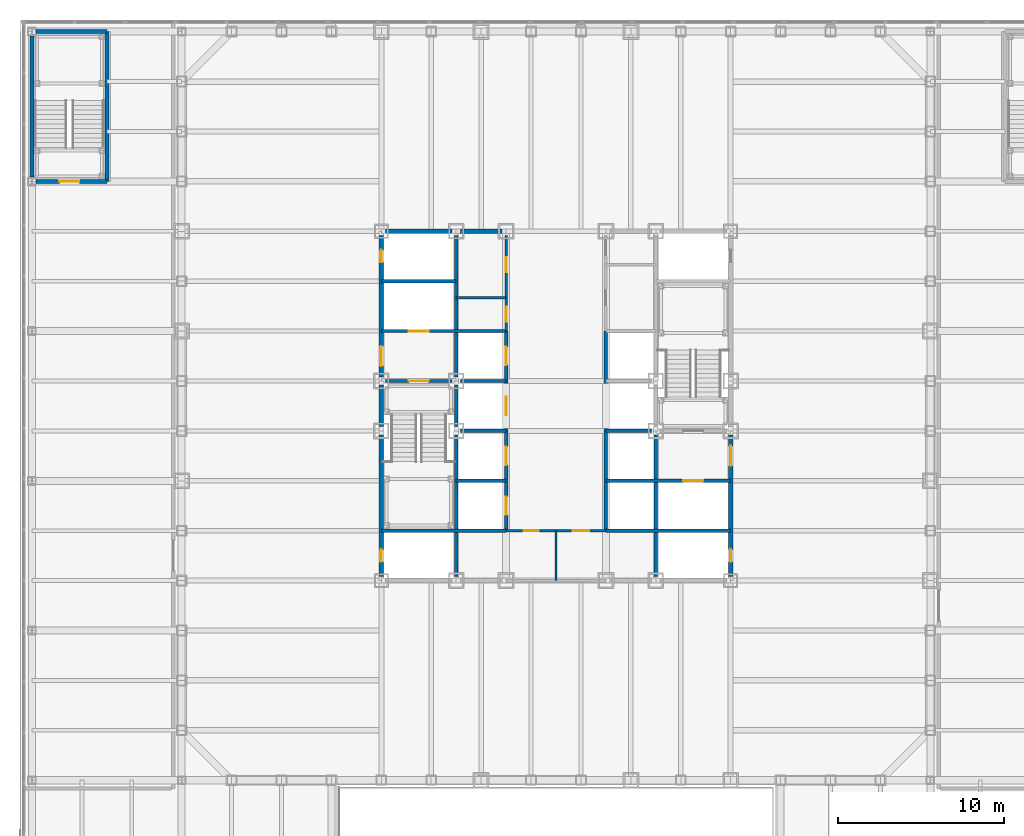
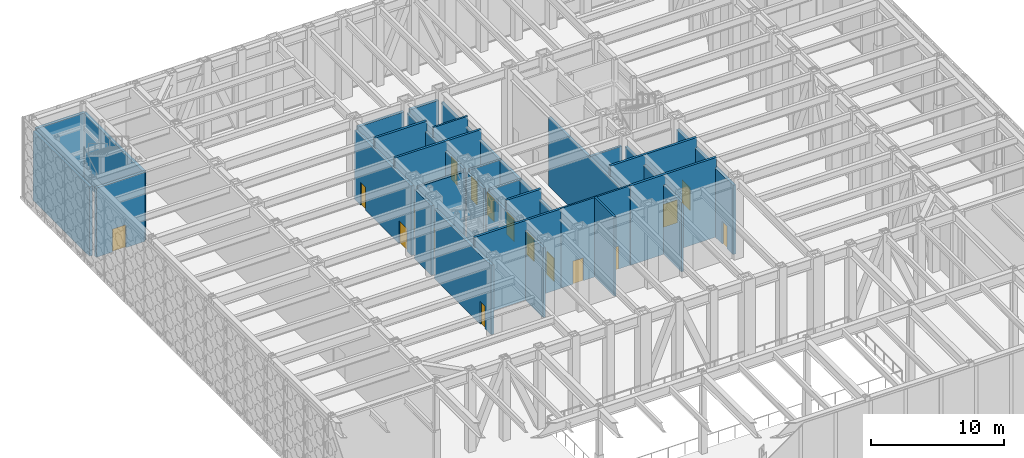
# One storey, part 16 of 34: 30 walls, 17 doors, 17 openings.
"""IFC4 building model written with IfcOpenShell, lengths in metres."""

from ifc_helpers import new_model, si_unit, direction, frame, frame_2d, origin, place, context, subcontext, project, spatial, rectangle, extrude, material, layer, layer_set, type_object, element, fill, save


model = new_model("IFC4")

# Units and contexts
model_context = context("Model", 3, precision=1e-05, world=origin(), true_north=direction((0.0, 1.0)))
body_context = subcontext(model_context, "Body", "Model", "MODEL_VIEW")
ifc_project = project(units=[si_unit("LENGTHUNIT", "METRE"), si_unit("AREAUNIT", "SQUARE_METRE"), si_unit("VOLUMEUNIT", "CUBIC_METRE"), si_unit("PLANEANGLEUNIT", "RADIAN"), si_unit("MASSUNIT", "GRAM", prefix="KILO")], contexts=[model_context])

# Site, building, storey
site_placement = place(None, origin())
site = spatial("IfcSite", under=ifc_project, at=site_placement, CompositionType="ELEMENT")
building_placement = place(site_placement, origin())
building = spatial("IfcBuilding", under=site, at=building_placement, Name="Chuquiago Exchange Tower", CompositionType="ELEMENT")
storey_placement = place(building_placement, frame((0.0, 0.0, 6.0)))
storey = spatial("IfcBuildingStorey", under=building, at=storey_placement, Name="L01", CompositionType="ELEMENT", Elevation=6.0)

# Wall, opening, door
ifc_material_1 = material(Name="Concrete masonry, fully grouted", Category="masonry")
ifc_layer_1 = layer(ifc_material_1, 0.25)
ifc_layer_set_1 = layer_set([ifc_layer_1], Name="W1 core wall 250")
wall_type_1 = type_object("IfcWallType", Name="W1 core wall 250", PredefinedType="SOLIDWALL", material=ifc_layer_set_1)
wall_1_placement = place(storey_placement, frame((12.0, 12.25, 0.0), z_axis=(0.0, 0.0, 1.0), x_axis=(0.0, 1.0, 0.0)))
wall_1 = element("IfcWall", 1, at=wall_1_placement, inside=storey, type_object=wall_type_1, Name="CW-L01-00-0", PredefinedType="SOLIDWALL", context=body_context, shape_type="SweptSolid", body=[
    extrude(rectangle(XDim=8.5, YDim=0.25, at=frame_2d((4.25, 0.0))), origin(), (0.0, 0.0, 1.0), 6.372802734375),
])
opening_1_placement = place(wall_1_placement, frame((0.875, 0.0, 0.0)))
opening_1 = element("IfcOpeningElement", 2, at=opening_1_placement, cuts=wall_1, Name="Opening L01-007", PredefinedType="OPENING", context=body_context, shape_type="SweptSolid", body=[
    extrude(rectangle(XDim=0.75, YDim=2.10009765625, at=frame_2d((0.375, 1.050048828125))), frame((0.0, 0.135009765625, 0.0), z_axis=(0.0, -1.0, 0.0), x_axis=(1.0, 0.0, 0.0)), (0.0, 0.0, 1.0), 0.27001953125),
])
ifc_material_2 = material(Name="Steel door, painted", Category="steel")
door_type_1 = type_object("IfcDoorType", Name="D6 riser access door 750x2100", OperationType="SINGLE_SWING_LEFT", PredefinedType="DOOR", material=ifc_material_2)
door_1_placement = place(opening_1_placement, origin())
door_1 = element("IfcDoor", 3, at=door_1_placement, inside=storey, type_object=door_type_1, Name="Riser RW1 door", OperationType="SINGLE_SWING_LEFT", OverallHeight=2.10009765625, OverallWidth=0.75, PredefinedType="DOOR", context=body_context, shape_type="SweptSolid", body=[
    extrude(rectangle(XDim=0.75, YDim=2.10009765625, at=frame_2d((0.375, 1.050048828125))), frame((0.0, 0.02490234375, 0.0), z_axis=(0.0, -1.0, 0.0), x_axis=(1.0, 0.0, 0.0)), (0.0, 0.0, 1.0), 0.050048828125),
])
fill(opening_1, door_1)

# Wall
wall_2_placement = place(storey_placement, frame((12.0, 21.25, 0.0), z_axis=(0.0, 0.0, 1.0), x_axis=(0.0, 1.0, 0.0)))
element("IfcWall", 4, at=wall_2_placement, inside=storey, type_object=wall_type_1, Name="CW-L01-00-1", PredefinedType="SOLIDWALL", context=body_context, shape_type="SweptSolid", body=[
    extrude(rectangle(XDim=2.5, YDim=0.25, at=frame_2d((1.25, 0.0))), origin(), (0.0, 0.0, 1.0), 6.372802734375),
])

# Wall, openings, doors
wall_3_placement = place(storey_placement, frame((12.0, 24.25, 0.0), z_axis=(0.0, 0.0, 1.0), x_axis=(0.0, 1.0, 0.0)))
wall_3 = element("IfcWall", 5, at=wall_3_placement, inside=storey, type_object=wall_type_1, Name="CW-L01-00-2", PredefinedType="SOLIDWALL", context=body_context, shape_type="SweptSolid", body=[
    extrude(rectangle(XDim=8.5, YDim=0.25, at=frame_2d((4.25, 0.0))), origin(), (0.0, 0.0, 1.0), 6.372802734375),
])
opening_2_placement = place(wall_3_placement, frame((0.64990234375, 0.0, 0.0)))
opening_2 = element("IfcOpeningElement", 6, at=opening_2_placement, cuts=wall_3, Name="Opening L01-002", PredefinedType="OPENING", context=body_context, shape_type="SweptSolid", body=[
    extrude(rectangle(XDim=1.199951171875, YDim=2.10009765625, at=frame_2d((0.60009765625, 1.050048828125))), frame((0.0, 0.135009765625, 0.0), z_axis=(0.0, -1.0, 0.0), x_axis=(1.0, 0.0, 0.0)), (0.0, 0.0, 1.0), 0.27001953125),
])
opening_3_placement = place(wall_3_placement, frame((6.875, 0.0, 0.0)))
opening_3 = element("IfcOpeningElement", 7, at=opening_3_placement, cuts=wall_3, Name="Opening L01-008", PredefinedType="OPENING", context=body_context, shape_type="SweptSolid", body=[
    extrude(rectangle(XDim=0.75, YDim=2.10009765625, at=frame_2d((0.375, 1.050048828125))), frame((0.0, 0.135009765625, 0.0), z_axis=(0.0, -1.0, 0.0), x_axis=(1.0, 0.0, 0.0)), (0.0, 0.0, 1.0), 0.27001953125),
])
ifc_material_3 = material(Name="Steel door, painted", Category="steel")
door_type_2 = type_object("IfcDoorType", Name="D5 firefighting lobby door 1200x2100", OperationType="SINGLE_SWING_LEFT", PredefinedType="DOOR", material=ifc_material_3)
door_2_placement = place(opening_2_placement, frame((1.199951171875, 0.0, 0.0), z_axis=(0.0, 0.0, 1.0), x_axis=(-1.0, 0.0, 0.0)))
door_2 = element("IfcDoor", 8, at=door_2_placement, inside=storey, type_object=door_type_2, Name="Firefighting lobby 1 door", OperationType="SINGLE_SWING_RIGHT", OverallHeight=2.10009765625, OverallWidth=1.199951171875, PredefinedType="DOOR", context=body_context, shape_type="SweptSolid", body=[
    extrude(rectangle(XDim=1.199951171875, YDim=2.10009765625, at=frame_2d((0.60009765625, 1.050048828125))), frame((0.0, 0.02490234375, 0.0), z_axis=(0.0, -1.0, 0.0), x_axis=(1.0, 0.0, 0.0)), (0.0, 0.0, 1.0), 0.050048828125),
])
fill(opening_2, door_2)
door_3_placement = place(opening_3_placement, origin())
door_3 = element("IfcDoor", 9, at=door_3_placement, inside=storey, type_object=door_type_1, Name="Riser RW2 door", OperationType="SINGLE_SWING_RIGHT", OverallHeight=2.10009765625, OverallWidth=0.75, PredefinedType="DOOR", context=body_context, shape_type="SweptSolid", body=[
    extrude(rectangle(XDim=0.75, YDim=2.10009765625, at=frame_2d((0.375, 1.050048828125))), frame((0.0, 0.02490234375, 0.0), z_axis=(0.0, -1.0, 0.0), x_axis=(1.0, 0.0, 0.0)), (0.0, 0.0, 1.0), 0.050048828125),
])
fill(opening_3, door_3)

# Walls
wall_4_placement = place(storey_placement, frame((12.25, 33.0, 0.0), z_axis=(0.0, 0.0, 1.0), x_axis=(1.0, 0.0, 0.0)))
element("IfcWall", 10, at=wall_4_placement, inside=storey, type_object=wall_type_1, Name="CW-L01-11-0", PredefinedType="SOLIDWALL", context=body_context, shape_type="SweptSolid", body=[
    extrude(rectangle(XDim=4.0, YDim=0.25, at=frame_2d((2.0, 0.0))), origin(), (0.0, 0.0, 1.0), 6.44140625),
])
wall_5_placement = place(storey_placement, frame((16.75, 33.0, 0.0), z_axis=(0.0, 0.0, 1.0), x_axis=(1.0, 0.0, 0.0)))
element("IfcWall", 11, at=wall_5_placement, inside=storey, type_object=wall_type_1, Name="CW-L01-11-1", PredefinedType="SOLIDWALL", context=body_context, shape_type="SweptSolid", body=[
    extrude(rectangle(XDim=2.5, YDim=0.25, at=frame_2d((1.25, 0.0))), origin(), (0.0, 0.0, 1.0), 6.44140625),
])

# Wall, openings, doors
wall_6_placement = place(storey_placement, frame((33.0, 12.25, 0.0), z_axis=(0.0, 0.0, 1.0), x_axis=(0.0, 1.0, 0.0)))
wall_6 = element("IfcWall", 12, at=wall_6_placement, inside=storey, type_object=wall_type_1, Name="CW-L01-25-0", PredefinedType="SOLIDWALL", context=body_context, shape_type="SweptSolid", body=[
    extrude(rectangle(XDim=8.5, YDim=0.25, at=frame_2d((4.25, 0.0))), origin(), (0.0, 0.0, 1.0), 6.372802734375),
])
opening_4_placement = place(wall_6_placement, frame((6.64990234375, 0.0, 0.0)))
opening_4 = element("IfcOpeningElement", 13, at=opening_4_placement, cuts=wall_6, Name="Opening L01-004", PredefinedType="OPENING", context=body_context, shape_type="SweptSolid", body=[
    extrude(rectangle(XDim=1.199951171875, YDim=2.10009765625, at=frame_2d((0.60009765625, 1.050048828125))), frame((0.0, 0.135009765625, 0.0), z_axis=(0.0, -1.0, 0.0), x_axis=(1.0, 0.0, 0.0)), (0.0, 0.0, 1.0), 0.27001953125),
])
opening_5_placement = place(wall_6_placement, frame((0.875, 0.0, 0.0)))
opening_5 = element("IfcOpeningElement", 14, at=opening_5_placement, cuts=wall_6, Name="Opening L01-009", PredefinedType="OPENING", context=body_context, shape_type="SweptSolid", body=[
    extrude(rectangle(XDim=0.75, YDim=2.10009765625, at=frame_2d((0.375, 1.050048828125))), frame((0.0, 0.135009765625, 0.0), z_axis=(0.0, -1.0, 0.0), x_axis=(1.0, 0.0, 0.0)), (0.0, 0.0, 1.0), 0.27001953125),
])
door_4_placement = place(opening_4_placement, origin())
door_4 = element("IfcDoor", 15, at=door_4_placement, inside=storey, type_object=door_type_2, Name="Firefighting lobby 2 door", OperationType="SINGLE_SWING_RIGHT", OverallHeight=2.10009765625, OverallWidth=1.199951171875, PredefinedType="DOOR", context=body_context, shape_type="SweptSolid", body=[
    extrude(rectangle(XDim=1.199951171875, YDim=2.10009765625, at=frame_2d((0.60009765625, 1.050048828125))), frame((0.0, 0.02490234375, 0.0), z_axis=(0.0, -1.0, 0.0), x_axis=(1.0, 0.0, 0.0)), (0.0, 0.0, 1.0), 0.050048828125),
])
fill(opening_4, door_4)
door_5_placement = place(opening_5_placement, frame((0.75, 0.0, 0.0), z_axis=(0.0, 0.0, 1.0), x_axis=(-1.0, 0.0, 0.0)))
door_5 = element("IfcDoor", 16, at=door_5_placement, inside=storey, type_object=door_type_1, Name="Riser RE1 door", OperationType="SINGLE_SWING_RIGHT", OverallHeight=2.10009765625, OverallWidth=0.75, PredefinedType="DOOR", context=body_context, shape_type="SweptSolid", body=[
    extrude(rectangle(XDim=0.75, YDim=2.10009765625, at=frame_2d((0.375, 1.050048828125))), frame((0.0, 0.02490234375, 0.0), z_axis=(0.0, -1.0, 0.0), x_axis=(1.0, 0.0, 0.0)), (0.0, 0.0, 1.0), 0.050048828125),
])
fill(opening_5, door_5)

# Wall, opening, door
ifc_material_4 = material(Name="Concrete masonry, fully grouted", Category="masonry")
ifc_layer_2 = layer(ifc_material_4, 0.25)
ifc_layer_set_2 = layer_set([ifc_layer_2], Name="W10 podium stair wall 250")
wall_type_2 = type_object("IfcWallType", Name="W10 podium stair wall 250", PredefinedType="SOLIDWALL", material=ifc_layer_set_2)
wall_7_placement = place(storey_placement, frame((-8.75, 36.0, 0.0), z_axis=(0.0, 0.0, 1.0), x_axis=(1.0, 0.0, 0.0)))
wall_7 = element("IfcWall", 17, at=wall_7_placement, inside=storey, type_object=wall_type_2, Name="PSW-L01-PS3-00", PredefinedType="SOLIDWALL", context=body_context, shape_type="SweptSolid", body=[
    extrude(rectangle(XDim=4.25, YDim=0.25, at=frame_2d((2.125, 0.0))), origin(), (0.0, 0.0, 1.0), 6.3525390625),
])
opening_6_placement = place(wall_7_placement, frame((1.39990234375, 0.0, 0.0)))
opening_6 = element("IfcOpeningElement", 18, at=opening_6_placement, cuts=wall_7, Name="Opening L01-025", PredefinedType="OPENING", context=body_context, shape_type="SweptSolid", body=[
    extrude(rectangle(XDim=1.199951171875, YDim=2.10009765625, at=frame_2d((0.60009765625, 1.050048828125))), frame((0.0, 0.135009765625, 0.0), z_axis=(0.0, -1.0, 0.0), x_axis=(1.0, 0.0, 0.0)), (0.0, 0.0, 1.0), 0.27001953125),
])
ifc_material_5 = material(Name="Steel door, painted", Category="steel")
door_type_3 = type_object("IfcDoorType", Name="D4 stair door 1200x2100", OperationType="SINGLE_SWING_LEFT", PredefinedType="DOOR", material=ifc_material_5)
door_6_placement = place(opening_6_placement, origin())
door_6 = element("IfcDoor", 19, at=door_6_placement, inside=storey, type_object=door_type_3, Name="Stair PS3 door", OperationType="SINGLE_SWING_RIGHT", OverallHeight=2.10009765625, OverallWidth=1.199951171875, PredefinedType="DOOR", context=body_context, shape_type="SweptSolid", body=[
    extrude(rectangle(XDim=1.199951171875, YDim=2.10009765625, at=frame_2d((0.60009765625, 1.050048828125))), frame((0.0, 0.02490234375, 0.0), z_axis=(0.0, -1.0, 0.0), x_axis=(1.0, 0.0, 0.0)), (0.0, 0.0, 1.0), 0.050048828125),
])
fill(opening_6, door_6)

# Walls
wall_8_placement = place(storey_placement, frame((-4.5, 36.0, 0.0), z_axis=(0.0, 0.0, 1.0), x_axis=(0.0, 1.0, 0.0)))
element("IfcWall", 20, at=wall_8_placement, inside=storey, type_object=wall_type_2, Name="PSW-L01-PS3-10", PredefinedType="SOLIDWALL", context=body_context, shape_type="SweptSolid", body=[
    extrude(rectangle(XDim=9.0, YDim=0.25, at=frame_2d((4.5, 0.0))), origin(), (0.0, 0.0, 1.0), 6.3525390625),
])
wall_9_placement = place(storey_placement, frame((-8.75, 45.0, 0.0), z_axis=(0.0, 0.0, 1.0), x_axis=(1.0, 0.0, 0.0)))
element("IfcWall", 21, at=wall_9_placement, inside=storey, type_object=wall_type_2, Name="PSW-L01-PS3-20", PredefinedType="SOLIDWALL", context=body_context, shape_type="SweptSolid", body=[
    extrude(rectangle(XDim=4.25, YDim=0.25, at=frame_2d((2.125, 0.0))), origin(), (0.0, 0.0, 1.0), 6.3525390625),
])
wall_10_placement = place(storey_placement, frame((-9.0, 36.25, 0.0), z_axis=(0.0, 0.0, 1.0), x_axis=(0.0, 1.0, 0.0)))
element("IfcWall", 22, at=wall_10_placement, inside=storey, type_object=wall_type_2, Name="PSW-L01-PS3-30", PredefinedType="SOLIDWALL", context=body_context, shape_type="SweptSolid", body=[
    extrude(rectangle(XDim=8.5, YDim=0.25, at=frame_2d((4.25, 0.0))), origin(), (0.0, 0.0, 1.0), 6.3525390625),
])
ifc_material_6 = material(Name="Concrete masonry, fully grouted", Category="masonry")
ifc_layer_3 = layer(ifc_material_6, 0.199951171875)
ifc_layer_set_3 = layer_set([ifc_layer_3], Name="W2 shaft wall 200")
wall_type_3 = type_object("IfcWallType", Name="W2 shaft wall 200", PredefinedType="SOLIDWALL", material=ifc_layer_set_3)
for number, where, z_axis, x_axis, name in (
    (23, (12.0, 15.0, 0.0), (0.0, 0.0, 1.0), (1.0, 0.0, 0.0), "CW-L01-03-0"),
    (24, (25.5, 15.0, 0.0), (0.0, 0.0, 1.0), (1.0, 0.0, 0.0), "CW-L01-04-0"),
):
    element("IfcWall", number, at=place(storey_placement, frame(where, z_axis=z_axis, x_axis=x_axis)), inside=storey, type_object=wall_type_3, Name=name, PredefinedType="SOLIDWALL", context=body_context, shape_type="SweptSolid", body=[
        extrude(rectangle(XDim=7.5, YDim=0.199951171875, at=frame_2d((3.75, 0.0))), origin(), (0.0, 0.0, 1.0), 7.300048828125),
    ])

# Wall, opening, door
wall_11_placement = place(storey_placement, frame((12.25, 24.0, 0.0), z_axis=(0.0, 0.0, 1.0), x_axis=(1.0, 0.0, 0.0)))
wall_11 = element("IfcWall", 25, at=wall_11_placement, inside=storey, type_object=wall_type_3, Name="CW-L01-05-0", PredefinedType="SOLIDWALL", context=body_context, shape_type="SweptSolid", body=[
    extrude(rectangle(XDim=4.0, YDim=0.199951171875, at=frame_2d((2.0, 0.0))), origin(), (0.0, 0.0, 1.0), 6.35009765625),
])
opening_7_placement = place(wall_11_placement, frame((1.39990234375, 0.0, 0.0)))
opening_7 = element("IfcOpeningElement", 26, at=opening_7_placement, cuts=wall_11, Name="Opening L01-001", PredefinedType="OPENING", context=body_context, shape_type="SweptSolid", body=[
    extrude(rectangle(XDim=1.199951171875, YDim=2.10009765625, at=frame_2d((0.60009765625, 1.050048828125))), frame((0.0, 0.10986328125, 0.0), z_axis=(0.0, -1.0, 0.0), x_axis=(1.0, 0.0, 0.0)), (0.0, 0.0, 1.0), 0.219970703125),
])
door_7_placement = place(opening_7_placement, frame((1.199951171875, 0.0, 0.0), z_axis=(0.0, 0.0, 1.0), x_axis=(-1.0, 0.0, 0.0)))
door_7 = element("IfcDoor", 27, at=door_7_placement, inside=storey, type_object=door_type_3, Name="Stair ST1 door", OperationType="SINGLE_SWING_RIGHT", OverallHeight=2.10009765625, OverallWidth=1.199951171875, PredefinedType="DOOR", context=body_context, shape_type="SweptSolid", body=[
    extrude(rectangle(XDim=1.199951171875, YDim=2.10009765625, at=frame_2d((0.60009765625, 1.050048828125))), frame((0.0, 0.02490234375, 0.0), z_axis=(0.0, -1.0, 0.0), x_axis=(1.0, 0.0, 0.0)), (0.0, 0.0, 1.0), 0.050048828125),
])
fill(opening_7, door_7)

# Wall
wall_12_placement = place(storey_placement, frame((16.75, 24.0, 0.0), z_axis=(0.0, 0.0, 1.0), x_axis=(1.0, 0.0, 0.0)))
element("IfcWall", 28, at=wall_12_placement, inside=storey, type_object=wall_type_3, Name="CW-L01-05-1", PredefinedType="SOLIDWALL", context=body_context, shape_type="SweptSolid", body=[
    extrude(rectangle(XDim=2.75, YDim=0.199951171875, at=frame_2d((1.375, 0.0))), origin(), (0.0, 0.0, 1.0), 6.35009765625),
])

# Wall, opening, door
wall_13_placement = place(storey_placement, frame((12.0, 27.0, 0.0), z_axis=(0.0, 0.0, 1.0), x_axis=(1.0, 0.0, 0.0)))
wall_13 = element("IfcWall", 29, at=wall_13_placement, inside=storey, type_object=wall_type_3, Name="CW-L01-07-0", PredefinedType="SOLIDWALL", context=body_context, shape_type="SweptSolid", body=[
    extrude(rectangle(XDim=7.5, YDim=0.199951171875, at=frame_2d((3.75, 0.0))), origin(), (0.0, 0.0, 1.0), 7.300048828125),
])
opening_8_placement = place(wall_13_placement, frame((1.64990234375, 0.0, 0.0)))
opening_8 = element("IfcOpeningElement", 30, at=opening_8_placement, cuts=wall_13, Name="Opening L01-005", PredefinedType="OPENING", context=body_context, shape_type="SweptSolid", body=[
    extrude(rectangle(XDim=1.199951171875, YDim=2.10009765625, at=frame_2d((0.60009765625, 1.050048828125))), frame((0.0, 0.10986328125, 0.0), z_axis=(0.0, -1.0, 0.0), x_axis=(1.0, 0.0, 0.0)), (0.0, 0.0, 1.0), 0.219970703125),
])
ifc_material_7 = material(Name="Stainless steel lift landing door", Category="steel")
door_type_4 = type_object("IfcDoorType", Name="LD2 firefighting lift landing door 1200x2100", OperationType="DOUBLE_DOOR_SLIDING", PredefinedType="DOOR", material=ifc_material_7)
door_8_placement = place(opening_8_placement, origin())
door_8 = element("IfcDoor", 31, at=door_8_placement, inside=storey, type_object=door_type_4, Name="Firefighting lift FL1 landing door", OperationType="DOUBLE_DOOR_SLIDING", OverallHeight=2.10009765625, OverallWidth=1.199951171875, PredefinedType="DOOR", context=body_context, shape_type="SweptSolid", body=[
    extrude(rectangle(XDim=1.199951171875, YDim=2.10009765625, at=frame_2d((0.60009765625, 1.050048828125))), frame((0.0, 0.02490234375, 0.0), z_axis=(0.0, -1.0, 0.0), x_axis=(1.0, 0.0, 0.0)), (0.0, 0.0, 1.0), 0.050048828125),
])
fill(opening_8, door_8)

# Walls
wall_14_placement = place(storey_placement, frame((12.0, 30.0, 0.0), z_axis=(0.0, 0.0, 1.0), x_axis=(1.0, 0.0, 0.0)))
element("IfcWall", 32, at=wall_14_placement, inside=storey, type_object=wall_type_3, Name="CW-L01-09-0", PredefinedType="SOLIDWALL", context=body_context, shape_type="SweptSolid", body=[
    extrude(rectangle(XDim=4.5, YDim=0.199951171875, at=frame_2d((2.25, 0.0))), origin(), (0.0, 0.0, 1.0), 7.300048828125),
])
wall_15_placement = place(storey_placement, frame((16.5, 12.25, 0.0), z_axis=(0.0, 0.0, 1.0), x_axis=(0.0, 1.0, 0.0)))
element("IfcWall", 33, at=wall_15_placement, inside=storey, type_object=wall_type_3, Name="CW-L01-13-0", PredefinedType="SOLIDWALL", context=body_context, shape_type="SweptSolid", body=[
    extrude(rectangle(XDim=8.5, YDim=0.199951171875, at=frame_2d((4.25, 0.0))), origin(), (0.0, 0.0, 1.0), 6.372802734375),
])
wall_16_placement = place(storey_placement, frame((16.5, 21.25, 0.0), z_axis=(0.0, 0.0, 1.0), x_axis=(0.0, 1.0, 0.0)))
element("IfcWall", 34, at=wall_16_placement, inside=storey, type_object=wall_type_3, Name="CW-L01-13-1", PredefinedType="SOLIDWALL", context=body_context, shape_type="SweptSolid", body=[
    extrude(rectangle(XDim=2.5, YDim=0.199951171875, at=frame_2d((1.25, 0.0))), origin(), (0.0, 0.0, 1.0), 6.372802734375),
])
wall_17_placement = place(storey_placement, frame((16.5, 24.25, 0.0), z_axis=(0.0, 0.0, 1.0), x_axis=(0.0, 1.0, 0.0)))
element("IfcWall", 35, at=wall_17_placement, inside=storey, type_object=wall_type_3, Name="CW-L01-13-2", PredefinedType="SOLIDWALL", context=body_context, shape_type="SweptSolid", body=[
    extrude(rectangle(XDim=8.5, YDim=0.199951171875, at=frame_2d((4.25, 0.0))), origin(), (0.0, 0.0, 1.0), 6.372802734375),
])
wall_18_placement = place(storey_placement, frame((16.5, 18.0, 0.0), z_axis=(0.0, 0.0, 1.0), x_axis=(1.0, 0.0, 0.0)))
element("IfcWall", 36, at=wall_18_placement, inside=storey, type_object=wall_type_3, Name="CW-L01-14-0", PredefinedType="SOLIDWALL", context=body_context, shape_type="SweptSolid", body=[
    extrude(rectangle(XDim=3.0, YDim=0.199951171875, at=frame_2d((1.5, 0.0))), origin(), (0.0, 0.0, 1.0), 7.300048828125),
])

# Wall, opening, door
wall_19_placement = place(storey_placement, frame((25.5, 18.0, 0.0), z_axis=(0.0, 0.0, 1.0), x_axis=(1.0, 0.0, 0.0)))
wall_19 = element("IfcWall", 37, at=wall_19_placement, inside=storey, type_object=wall_type_3, Name="CW-L01-15-0", PredefinedType="SOLIDWALL", context=body_context, shape_type="SweptSolid", body=[
    extrude(rectangle(XDim=7.5, YDim=0.199951171875, at=frame_2d((3.75, 0.0))), origin(), (0.0, 0.0, 1.0), 7.300048828125),
])
opening_9_placement = place(wall_19_placement, frame((4.64990234375, 0.0, 0.0)))
opening_9 = element("IfcOpeningElement", 38, at=opening_9_placement, cuts=wall_19, Name="Opening L01-006", PredefinedType="OPENING", context=body_context, shape_type="SweptSolid", body=[
    extrude(rectangle(XDim=1.199951171875, YDim=2.10009765625, at=frame_2d((0.60009765625, 1.050048828125))), frame((0.0, 0.10986328125, 0.0), z_axis=(0.0, -1.0, 0.0), x_axis=(1.0, 0.0, 0.0)), (0.0, 0.0, 1.0), 0.219970703125),
])
door_9_placement = place(opening_9_placement, origin())
door_9 = element("IfcDoor", 39, at=door_9_placement, inside=storey, type_object=door_type_4, Name="Firefighting lift FL2 landing door", OperationType="DOUBLE_DOOR_SLIDING", OverallHeight=2.10009765625, OverallWidth=1.199951171875, PredefinedType="DOOR", context=body_context, shape_type="SweptSolid", body=[
    extrude(rectangle(XDim=1.199951171875, YDim=2.10009765625, at=frame_2d((0.60009765625, 1.050048828125))), frame((0.0, 0.02490234375, 0.0), z_axis=(0.0, -1.0, 0.0), x_axis=(1.0, 0.0, 0.0)), (0.0, 0.0, 1.0), 0.050048828125),
])
fill(opening_9, door_9)

# Walls
for number, where, z_axis, x_axis, name in (
    (40, (16.75, 21.0, 0.0), (0.0, 0.0, 1.0), (1.0, 0.0, 0.0), "CW-L01-16-0"),
    (41, (25.5, 21.0, 0.0), (0.0, 0.0, 1.0), (1.0, 0.0, 0.0), "CW-L01-17-0"),
):
    element("IfcWall", number, at=place(storey_placement, frame(where, z_axis=z_axis, x_axis=x_axis)), inside=storey, type_object=wall_type_3, Name=name, PredefinedType="SOLIDWALL", context=body_context, shape_type="SweptSolid", body=[
        extrude(rectangle(XDim=2.75, YDim=0.199951171875, at=frame_2d((1.375, 0.0))), origin(), (0.0, 0.0, 1.0), 6.35009765625),
    ])

# Wall, openings, doors
wall_20_placement = place(storey_placement, frame((19.5, 15.0, 0.0), z_axis=(0.0, 0.0, 1.0), x_axis=(0.0, 1.0, 0.0)))
wall_20 = element("IfcWall", 42, at=wall_20_placement, inside=storey, type_object=wall_type_3, Name="CW-L01-19-0", PredefinedType="SOLIDWALL", context=body_context, shape_type="SweptSolid", body=[
    extrude(rectangle(XDim=12.0, YDim=0.199951171875, at=frame_2d((6.0, 0.0))), origin(), (0.0, 0.0, 1.0), 6.32470703125),
])
opening_10_placement = place(wall_20_placement, frame((0.949951171875, 0.0, 0.0)))
opening_10 = element("IfcOpeningElement", 43, at=opening_10_placement, cuts=wall_20, Name="Opening L01-017", PredefinedType="OPENING", context=body_context, shape_type="SweptSolid", body=[
    extrude(rectangle(XDim=1.10009765625, YDim=2.10009765625, at=frame_2d((0.550048828125, 1.050048828125))), frame((0.0, 0.10986328125, 0.0), z_axis=(0.0, -1.0, 0.0), x_axis=(1.0, 0.0, 0.0)), (0.0, 0.0, 1.0), 0.219970703125),
])
opening_11_placement = place(wall_20_placement, frame((3.949951171875, 0.0, 0.0)))
opening_11 = element("IfcOpeningElement", 44, at=opening_11_placement, cuts=wall_20, Name="Opening L01-018", PredefinedType="OPENING", context=body_context, shape_type="SweptSolid", body=[
    extrude(rectangle(XDim=1.10009765625, YDim=2.10009765625, at=frame_2d((0.550048828125, 1.050048828125))), frame((0.0, 0.10986328125, 0.0), z_axis=(0.0, -1.0, 0.0), x_axis=(1.0, 0.0, 0.0)), (0.0, 0.0, 1.0), 0.219970703125),
])
opening_12_placement = place(wall_20_placement, frame((6.949951171875, 0.0, 0.0)))
opening_12 = element("IfcOpeningElement", 45, at=opening_12_placement, cuts=wall_20, Name="Opening L01-019", PredefinedType="OPENING", context=body_context, shape_type="SweptSolid", body=[
    extrude(rectangle(XDim=1.10009765625, YDim=2.10009765625, at=frame_2d((0.550048828125, 1.050048828125))), frame((0.0, 0.10986328125, 0.0), z_axis=(0.0, -1.0, 0.0), x_axis=(1.0, 0.0, 0.0)), (0.0, 0.0, 1.0), 0.219970703125),
])
opening_13_placement = place(wall_20_placement, frame((9.949951171875, 0.0, 0.0)))
opening_13 = element("IfcOpeningElement", 46, at=opening_13_placement, cuts=wall_20, Name="Opening L01-020", PredefinedType="OPENING", context=body_context, shape_type="SweptSolid", body=[
    extrude(rectangle(XDim=1.10009765625, YDim=2.10009765625, at=frame_2d((0.550048828125, 1.050048828125))), frame((0.0, 0.10986328125, 0.0), z_axis=(0.0, -1.0, 0.0), x_axis=(1.0, 0.0, 0.0)), (0.0, 0.0, 1.0), 0.219970703125),
])
ifc_material_8 = material(Name="Stainless steel lift landing door", Category="steel")
door_type_5 = type_object("IfcDoorType", Name="LD1 lift landing door 1100x2100", OperationType="DOUBLE_DOOR_SLIDING", PredefinedType="DOOR", material=ifc_material_8)
door_10_placement = place(opening_10_placement, origin())
door_10 = element("IfcDoor", 47, at=door_10_placement, inside=storey, type_object=door_type_5, Name="Lift LA1 landing door", OperationType="DOUBLE_DOOR_SLIDING", OverallHeight=2.10009765625, OverallWidth=1.10009765625, PredefinedType="DOOR", context=body_context, shape_type="SweptSolid", body=[
    extrude(rectangle(XDim=1.10009765625, YDim=2.10009765625, at=frame_2d((0.550048828125, 1.050048828125))), frame((0.0, 0.02490234375, 0.0), z_axis=(0.0, -1.0, 0.0), x_axis=(1.0, 0.0, 0.0)), (0.0, 0.0, 1.0), 0.050048828125),
])
fill(opening_10, door_10)
door_11_placement = place(opening_11_placement, origin())
door_11 = element("IfcDoor", 48, at=door_11_placement, inside=storey, type_object=door_type_5, Name="Lift LA2 landing door", OperationType="DOUBLE_DOOR_SLIDING", OverallHeight=2.10009765625, OverallWidth=1.10009765625, PredefinedType="DOOR", context=body_context, shape_type="SweptSolid", body=[
    extrude(rectangle(XDim=1.10009765625, YDim=2.10009765625, at=frame_2d((0.550048828125, 1.050048828125))), frame((0.0, 0.02490234375, 0.0), z_axis=(0.0, -1.0, 0.0), x_axis=(1.0, 0.0, 0.0)), (0.0, 0.0, 1.0), 0.050048828125),
])
fill(opening_11, door_11)
door_12_placement = place(opening_12_placement, origin())
door_12 = element("IfcDoor", 49, at=door_12_placement, inside=storey, type_object=door_type_5, Name="Lift LA3 landing door", OperationType="DOUBLE_DOOR_SLIDING", OverallHeight=2.10009765625, OverallWidth=1.10009765625, PredefinedType="DOOR", context=body_context, shape_type="SweptSolid", body=[
    extrude(rectangle(XDim=1.10009765625, YDim=2.10009765625, at=frame_2d((0.550048828125, 1.050048828125))), frame((0.0, 0.02490234375, 0.0), z_axis=(0.0, -1.0, 0.0), x_axis=(1.0, 0.0, 0.0)), (0.0, 0.0, 1.0), 0.050048828125),
])
fill(opening_12, door_12)
door_13_placement = place(opening_13_placement, origin())
door_13 = element("IfcDoor", 50, at=door_13_placement, inside=storey, type_object=door_type_5, Name="Lift LA4 landing door", OperationType="DOUBLE_DOOR_SLIDING", OverallHeight=2.10009765625, OverallWidth=1.10009765625, PredefinedType="DOOR", context=body_context, shape_type="SweptSolid", body=[
    extrude(rectangle(XDim=1.10009765625, YDim=2.10009765625, at=frame_2d((0.550048828125, 1.050048828125))), frame((0.0, 0.02490234375, 0.0), z_axis=(0.0, -1.0, 0.0), x_axis=(1.0, 0.0, 0.0)), (0.0, 0.0, 1.0), 0.050048828125),
])
fill(opening_13, door_13)

# Walls
wall_21_placement = place(storey_placement, frame((25.5, 15.0, 0.0), z_axis=(0.0, 0.0, 1.0), x_axis=(0.0, 1.0, 0.0)))
element("IfcWall", 51, at=wall_21_placement, inside=storey, type_object=wall_type_3, Name="CW-L01-22-0", PredefinedType="SOLIDWALL", context=body_context, shape_type="SweptSolid", body=[
    extrude(rectangle(XDim=12.0, YDim=0.199951171875, at=frame_2d((6.0, 0.0))), origin(), (0.0, 0.0, 1.0), 6.32470703125),
])
wall_22_placement = place(storey_placement, frame((28.5, 12.25, 0.0), z_axis=(0.0, 0.0, 1.0), x_axis=(0.0, 1.0, 0.0)))
element("IfcWall", 52, at=wall_22_placement, inside=storey, type_object=wall_type_3, Name="CW-L01-24-0", PredefinedType="SOLIDWALL", context=body_context, shape_type="SweptSolid", body=[
    extrude(rectangle(XDim=8.5, YDim=0.199951171875, at=frame_2d((4.25, 0.0))), origin(), (0.0, 0.0, 1.0), 6.372802734375),
])

# Wall, openings, doors
ifc_material_9 = material(Name="Gypsum board on steel studs", Category="steel")
ifc_layer_4 = layer(ifc_material_9, 0.14990234375)
ifc_layer_set_4 = layer_set([ifc_layer_4], Name="W3 core partition 150")
wall_type_4 = type_object("IfcWallType", Name="W3 core partition 150", PredefinedType="PARTITIONING", material=ifc_layer_set_4)
wall_23_placement = place(storey_placement, frame((19.5, 27.0, 0.0), z_axis=(0.0, 0.0, 1.0), x_axis=(0.0, 1.0, 0.0)))
wall_23 = element("IfcWall", 53, at=wall_23_placement, inside=storey, type_object=wall_type_4, Name="CW-L01-20-0", PredefinedType="PARTITIONING", context=body_context, shape_type="SweptSolid", body=[
    extrude(rectangle(XDim=5.75, YDim=0.14990234375, at=frame_2d((2.875, 0.0))), origin(), (0.0, 0.0, 1.0), 6.32470703125),
])
opening_14_placement = place(wall_23_placement, frame((0.550048828125, 0.0, 0.0)))
opening_14 = element("IfcOpeningElement", 54, at=opening_14_placement, cuts=wall_23, Name="Opening L01-011", PredefinedType="OPENING", context=body_context, shape_type="SweptSolid", body=[
    extrude(rectangle(XDim=0.89990234375, YDim=2.10009765625, at=frame_2d((0.449951171875, 1.050048828125))), frame((0.0, 0.0849609375, 0.0), z_axis=(0.0, -1.0, 0.0), x_axis=(1.0, 0.0, 0.0)), (0.0, 0.0, 1.0), 0.169921875),
])
opening_15_placement = place(wall_23_placement, frame((3.550048828125, 0.0, 0.0)))
opening_15 = element("IfcOpeningElement", 55, at=opening_15_placement, cuts=wall_23, Name="Opening L01-012", PredefinedType="OPENING", context=body_context, shape_type="SweptSolid", body=[
    extrude(rectangle(XDim=0.89990234375, YDim=2.10009765625, at=frame_2d((0.449951171875, 1.050048828125))), frame((0.0, 0.0849609375, 0.0), z_axis=(0.0, -1.0, 0.0), x_axis=(1.0, 0.0, 0.0)), (0.0, 0.0, 1.0), 0.169921875),
])
ifc_material_10 = material(Name="Timber door, laminate faced", Category="wood")
door_type_6 = type_object("IfcDoorType", Name="D16 core room door 900x2100", OperationType="SINGLE_SWING_LEFT", PredefinedType="DOOR", material=ifc_material_10)
door_14_placement = place(opening_14_placement, origin())
door_14 = element("IfcDoor", 56, at=door_14_placement, inside=storey, type_object=door_type_6, Name="First aid room door", OperationType="SINGLE_SWING_LEFT", OverallHeight=2.10009765625, OverallWidth=0.89990234375, PredefinedType="DOOR", context=body_context, shape_type="SweptSolid", body=[
    extrude(rectangle(XDim=0.89990234375, YDim=2.10009765625, at=frame_2d((0.449951171875, 1.050048828125))), frame((0.0, 0.02490234375, 0.0), z_axis=(0.0, -1.0, 0.0), x_axis=(1.0, 0.0, 0.0)), (0.0, 0.0, 1.0), 0.050048828125),
])
fill(opening_14, door_14)
ifc_material_11 = material(Name="Timber door, laminate faced", Category="wood")
door_type_7 = type_object("IfcDoorType", Name="D7 toilet door 900x2100", OperationType="SINGLE_SWING_LEFT", PredefinedType="DOOR", material=ifc_material_11)
door_15_placement = place(opening_15_placement, origin())
door_15 = element("IfcDoor", 57, at=door_15_placement, inside=storey, type_object=door_type_7, Name="Male WC door", OperationType="SINGLE_SWING_RIGHT", OverallHeight=2.10009765625, OverallWidth=0.89990234375, PredefinedType="DOOR", context=body_context, shape_type="SweptSolid", body=[
    extrude(rectangle(XDim=0.89990234375, YDim=2.10009765625, at=frame_2d((0.449951171875, 1.050048828125))), frame((0.0, 0.02490234375, 0.0), z_axis=(0.0, -1.0, 0.0), x_axis=(1.0, 0.0, 0.0)), (0.0, 0.0, 1.0), 0.050048828125),
])
fill(opening_15, door_15)

wall_24_placement = place(storey_placement, frame((19.5, 15.0, 0.0), z_axis=(0.0, 0.0, 1.0), x_axis=(1.0, 0.0, 0.0)))
wall_24 = element("IfcWall", 58, at=wall_24_placement, inside=storey, type_object=wall_type_4, Name="CW-L01-TF", PredefinedType="PARTITIONING", context=body_context, shape_type="SweptSolid", body=[
    extrude(rectangle(XDim=6.0, YDim=0.14990234375, at=frame_2d((3.0, 0.0))), origin(), (0.0, 0.0, 1.0), 7.300048828125),
])
opening_16_placement = place(wall_24_placement, frame((4.0, 0.0, 0.0)))
opening_16 = element("IfcOpeningElement", 59, at=opening_16_placement, cuts=wall_24, Name="Opening L01-015", PredefinedType="OPENING", context=body_context, shape_type="SweptSolid", body=[
    extrude(rectangle(XDim=1.0, YDim=2.10009765625, at=frame_2d((0.5, 1.050048828125))), frame((0.0, 0.0849609375, 0.0), z_axis=(0.0, -1.0, 0.0), x_axis=(1.0, 0.0, 0.0)), (0.0, 0.0, 1.0), 0.169921875),
])
opening_17_placement = place(wall_24_placement, frame((1.050048828125, 0.0, 0.0)))
opening_17 = element("IfcOpeningElement", 60, at=opening_17_placement, cuts=wall_24, Name="Opening L01-016", PredefinedType="OPENING", context=body_context, shape_type="SweptSolid", body=[
    extrude(rectangle(XDim=0.89990234375, YDim=2.10009765625, at=frame_2d((0.449951171875, 1.050048828125))), frame((0.0, 0.0849609375, 0.0), z_axis=(0.0, -1.0, 0.0), x_axis=(1.0, 0.0, 0.0)), (0.0, 0.0, 1.0), 0.169921875),
])
door_16_placement = place(opening_17_placement, origin())
door_16 = element("IfcDoor", 61, at=door_16_placement, inside=storey, type_object=door_type_7, Name="Cleaner door", OperationType="SINGLE_SWING_LEFT", OverallHeight=2.10009765625, OverallWidth=0.89990234375, PredefinedType="DOOR", context=body_context, shape_type="SweptSolid", body=[
    extrude(rectangle(XDim=0.89990234375, YDim=2.10009765625, at=frame_2d((0.449951171875, 1.050048828125))), frame((0.0, 0.02490234375, 0.0), z_axis=(0.0, -1.0, 0.0), x_axis=(1.0, 0.0, 0.0)), (0.0, 0.0, 1.0), 0.050048828125),
])
fill(opening_17, door_16)
ifc_material_12 = material(Name="Timber door, laminate faced", Category="wood")
door_type_8 = type_object("IfcDoorType", Name="D8 accessible toilet door 1000x2100", OperationType="SLIDING_TO_LEFT", PredefinedType="DOOR", material=ifc_material_12)
door_17_placement = place(opening_16_placement, origin())
door_17 = element("IfcDoor", 62, at=door_17_placement, inside=storey, type_object=door_type_8, Name="Accessible WC door", OperationType="SLIDING_TO_LEFT", OverallHeight=2.10009765625, OverallWidth=1.0, PredefinedType="DOOR", context=body_context, shape_type="SweptSolid", body=[
    extrude(rectangle(XDim=1.0, YDim=2.10009765625, at=frame_2d((0.5, 1.050048828125))), frame((0.0, 0.02490234375, 0.0), z_axis=(0.0, -1.0, 0.0), x_axis=(1.0, 0.0, 0.0)), (0.0, 0.0, 1.0), 0.050048828125),
])
fill(opening_16, door_17)

# Walls
for number, where, z_axis, x_axis, name in (
    (63, (22.5, 15.0, 0.0), (0.0, 0.0, 1.0), (0.0, -1.0, 0.0), "CW-L01-TM"),
    (64, (16.5, 29.0, 0.0), (0.0, 0.0, 1.0), (1.0, 0.0, 0.0), "CW-L01-WCMS"),
):
    element("IfcWall", number, at=place(storey_placement, frame(where, z_axis=z_axis, x_axis=x_axis)), inside=storey, type_object=wall_type_4, Name=name, PredefinedType="PARTITIONING", context=body_context, shape_type="SweptSolid", body=[
        extrude(rectangle(XDim=3.0, YDim=0.14990234375, at=frame_2d((1.5, 0.0))), origin(), (0.0, 0.0, 1.0), 7.300048828125),
    ])

save(model, "model.ifc")
